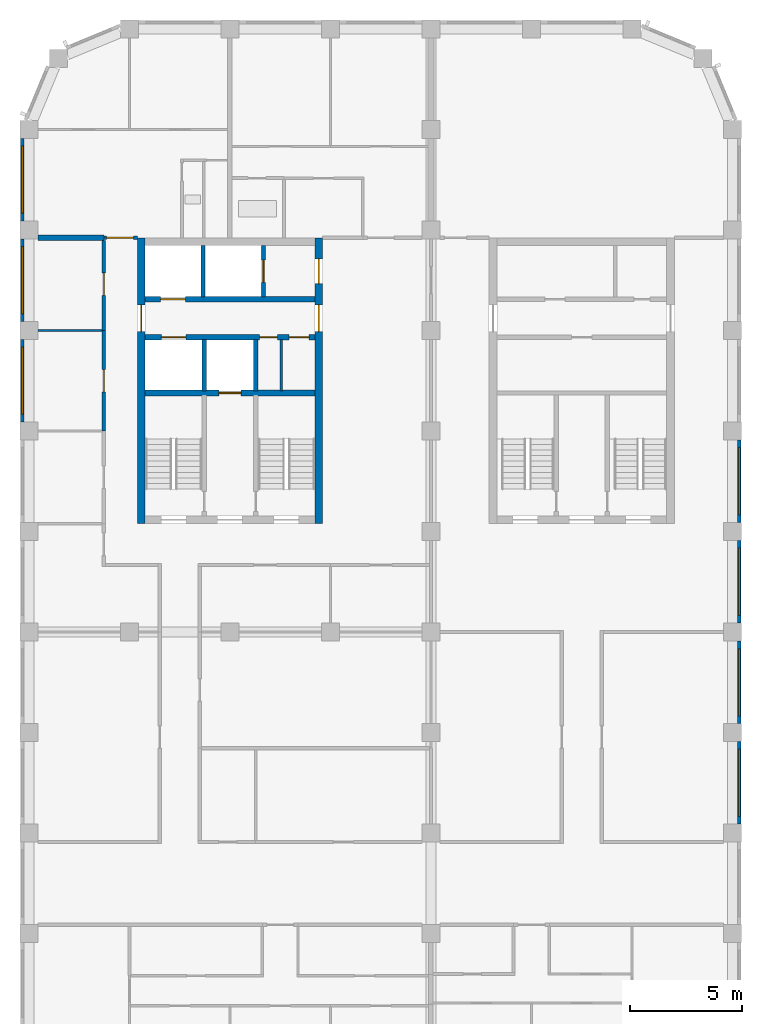
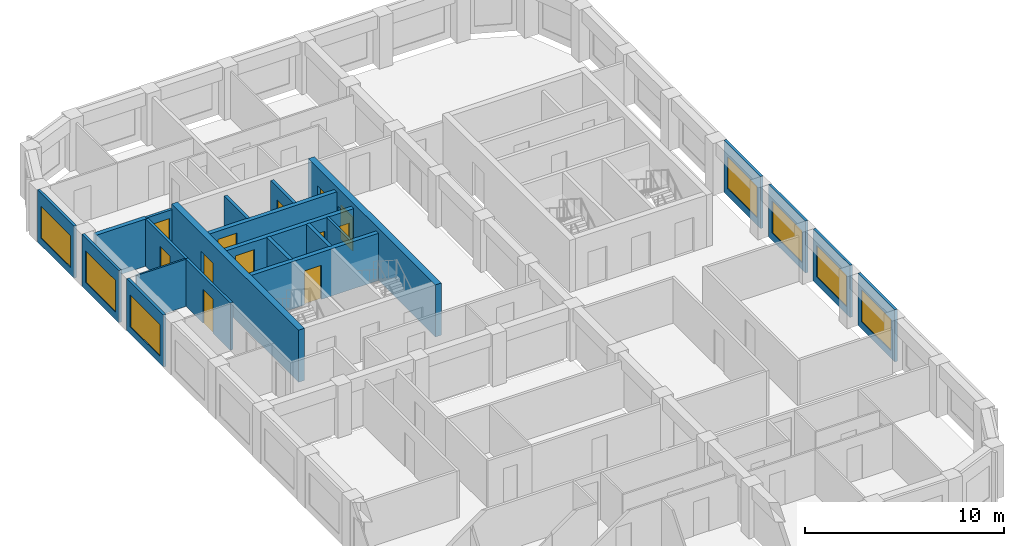
# One storey, part 5 of 9: 22 walls, 12 doors, 7 windows, 19 openings.
"""IFC4 building model written with IfcOpenShell, lengths in metres."""

import ifcopenshell
import ifcopenshell.guid

model = None  # the IFC model being written
_history = None  # IfcOwnerHistory: only IFC2X3 demands one
_inside = {}  # id of a spatial element -> (the spatial element, [elements in it])
_under = {}  # id of a project, library or spatial element -> (it, [spatial elements below it])
_declared = {}  # id of a project -> (the project, [libraries it declares])
_typed = {}  # id of a type object -> (the type object, [elements of that type])
_made_of = {}  # id of a material, layer set ... -> (it, [elements and type objects made of it])


def new_model(schema):
    """Start an empty IFC model of exactly this schema.

    Asked for "IFC4X3", IfcOpenShell would pick the latest addendum, in which some entities
    have other attributes; the version numbers below select the first issue.
    IFC2X3 requires an IfcOwnerHistory on every rooted entity: one is made here for all.
    """
    global model, _history
    if schema == "IFC4X3":
        model = ifcopenshell.file(schema_version=(4, 3, 0, 0))
    else:
        model = ifcopenshell.file(schema=schema)
    _inside.clear()
    _under.clear()
    _declared.clear()
    _typed.clear()
    _made_of.clear()
    _history = None
    if model.schema == "IFC2X3":
        org = make("IfcOrganization", Name="unknown")
        user = make(
            "IfcPersonAndOrganization",
            ThePerson=make("IfcPerson", FamilyName="unknown"),
            TheOrganization=org,
        )
        app = make(
            "IfcApplication",
            ApplicationDeveloper=org,
            Version="unknown",
            ApplicationFullName="unknown",
            ApplicationIdentifier="unknown",
        )
        _history = make(
            "IfcOwnerHistory",
            OwningUser=user,
            OwningApplication=app,
            ChangeAction="ADDED",
            CreationDate=0,
        )
    return model


def make(cls, **values):
    """One entity of the class cls with the attributes given. An attribute that is None is left unset."""
    return model.create_entity(
        cls, **{name: value for name, value in values.items() if value is not None}
    )


def rooted(cls, **values):
    """An entity with a GlobalId (a new one), such as an element, a storey or a relation."""
    return make(cls, GlobalId=ifcopenshell.guid.new(), OwnerHistory=_history, **values)


def si_unit(unit_type, name, prefix=None):
    """IfcSIUnit, for example si_unit("LENGTHUNIT", "METRE", prefix="MILLI")."""
    return make("IfcSIUnit", UnitType=unit_type, Prefix=prefix, Name=name)


def assignment(units):
    """IfcUnitAssignment: the units of a project."""
    return None if units is None else make("IfcUnitAssignment", Units=units)


def point(xyz):
    """IfcCartesianPoint."""
    return None if xyz is None else make("IfcCartesianPoint", Coordinates=xyz)


def direction(xyz):
    """IfcDirection."""
    return None if xyz is None else make("IfcDirection", DirectionRatios=xyz)


def frame(location, z_axis=None, x_axis=None):
    """IfcAxis2Placement3D, a coordinate frame: its origin and axes. An axis left out is left unset."""
    return make(
        "IfcAxis2Placement3D",
        Location=point(location),
        Axis=direction(z_axis),
        RefDirection=direction(x_axis),
    )


def frame_2d(location, x_axis=None):
    """IfcAxis2Placement2D, a coordinate frame in the plane: its origin and x axis."""
    return make(
        "IfcAxis2Placement2D", Location=point(location), RefDirection=direction(x_axis)
    )


def origin():
    """The frame at (0, 0, 0) with its axes left unset."""
    return frame((0.0, 0.0, 0.0))


def place(relative_to, where):
    """IfcLocalPlacement: puts the frame where relative to a parent placement (None: the world)."""
    return make(
        "IfcLocalPlacement", PlacementRelTo=relative_to, RelativePlacement=where
    )


def context(
    kind, dimensions, precision=None, world=None, true_north=None, identifier=None
):
    """IfcGeometricRepresentationContext, for example the 3D "Model" context."""
    return make(
        "IfcGeometricRepresentationContext",
        ContextIdentifier=identifier,
        ContextType=kind,
        CoordinateSpaceDimension=dimensions,
        Precision=precision,
        WorldCoordinateSystem=world,
        TrueNorth=true_north,
    )


def subcontext(parent, identifier, kind, view, scale=None):
    """IfcGeometricRepresentationSubContext, for example "Body" below "Model"."""
    return make(
        "IfcGeometricRepresentationSubContext",
        ContextIdentifier=identifier,
        ContextType=kind,
        ParentContext=parent,
        TargetScale=scale,
        TargetView=view,
    )


def project(units=None, contexts=None):
    """IfcProject with its units and contexts."""
    return rooted(
        "IfcProject",
        Name="project",
        RepresentationContexts=contexts,
        UnitsInContext=assignment(units),
    )


def spatial(cls, under=None, at=None, **own):
    """A site, building, storey or space (cls), placed at a placement, below another one or the project."""
    s = rooted(cls, ObjectPlacement=at, **own)
    if under is not None:
        _under.setdefault(under.id(), (under, []))[1].append(s)
    return s


def profile(cls, at=None, kind="AREA", **sizes):
    """A parametric profile (cls). Its sizes go by their IFC names, for example OverallWidth=200.0."""
    return make(cls, ProfileType=kind, Position=at, **sizes)


def rectangle(**sizes):
    """IfcRectangleProfileDef."""
    return profile("IfcRectangleProfileDef", **sizes)


def extrude(swept, where, along, depth):
    """IfcExtrudedAreaSolid: the profile swept, set in the frame where, extruded along a direction by depth."""
    return make(
        "IfcExtrudedAreaSolid",
        SweptArea=swept,
        Position=where,
        ExtrudedDirection=direction(along),
        Depth=depth,
    )


def shape(context_of_items, identifier, shape_type, items):
    """IfcShapeRepresentation: the items that make up one representation, for example the "Body"."""
    return make(
        "IfcShapeRepresentation",
        ContextOfItems=context_of_items,
        RepresentationIdentifier=identifier,
        RepresentationType=shape_type,
        Items=items,
    )


def material(Name=None, Category=None):
    """IfcMaterial."""
    return make("IfcMaterial", Name=Name, Category=Category)


def layer(
    of_material, thickness, ventilated=None, Name=None, Category=None, Priority=None
):
    """IfcMaterialLayer: one layer of a wall or slab, of a material (None: an air gap)."""
    return make(
        "IfcMaterialLayer",
        Material=of_material,
        LayerThickness=thickness,
        IsVentilated=ventilated,
        Name=Name,
        Category=Category,
        Priority=Priority,
    )


def layer_set(layers, Name=None):
    """IfcMaterialLayerSet."""
    return make("IfcMaterialLayerSet", MaterialLayers=layers, LayerSetName=Name)


def made_of(thing, what):
    """Note that an element or type object is made of a material, layer set ...; save() writes the relation."""
    if what is not None:
        _made_of.setdefault(what.id(), (what, []))[1].append(thing)
    return thing


def type_object(cls, material=None, **own):
    """A type object (cls), such as IfcWallType, which elements share."""
    return made_of(rooted(cls, **own), material)


def element(
    cls,
    number,
    at=None,
    inside=None,
    cuts=None,
    type_object=None,
    material=None,
    context=None,
    identifier="Body",
    shape_type=None,
    held_by="IfcProductDefinitionShape",
    body=None,
    shapes=None,
    **own,
):
    """One element of the class cls, such as IfcWall. Its Tag is "e" and its number.

    at: its placement. inside: the storey or other place that contains it. cuts: it is an
    opening in that element (IfcRelVoidsElement). A single representation is given by context,
    identifier, shape_type and body (its items); several are given by shapes. held_by: the class
    of the entity that holds the representations. save() writes the other relations.
    """
    e = rooted(cls, Tag="e%d" % number, ObjectPlacement=at, **own)
    if body is not None:
        shapes = [shape(context, identifier, shape_type, body)]
    if shapes is not None:
        e.Representation = make(held_by, Representations=shapes)
    if inside is not None:
        _inside.setdefault(inside.id(), (inside, []))[1].append(e)
    if cuts is not None:
        rooted(
            "IfcRelVoidsElement", RelatingBuildingElement=cuts, RelatedOpeningElement=e
        )
    if type_object is not None:
        _typed.setdefault(type_object.id(), (type_object, []))[1].append(e)
    return made_of(e, material)


def fill(opening, filler):
    """IfcRelFillsElement: the door or window that sits in an opening."""
    return rooted(
        "IfcRelFillsElement",
        RelatingOpeningElement=opening,
        RelatedBuildingElement=filler,
    )


def aggregate(whole, parts):
    """IfcRelAggregates: a whole, such as a stair, and the parts it consists of."""
    return rooted("IfcRelAggregates", RelatingObject=whole, RelatedObjects=parts)


def save(model, path):
    """Write the relations noted so far, then the file.

    IfcRelAggregates (storeys below a building ...), IfcRelContainedInSpatialStructure (elements
    in a storey), IfcRelDefinesByType, IfcRelAssociatesMaterial and IfcRelDeclares: one each for
    every whole, place, type object, material and project.
    """
    for whole, parts in _under.values():
        aggregate(whole, parts)
    for where, things in _inside.values():
        rooted(
            "IfcRelContainedInSpatialStructure",
            RelatedElements=things,
            RelatingStructure=where,
        )
    for kind, things in _typed.values():
        rooted("IfcRelDefinesByType", RelatedObjects=things, RelatingType=kind)
    for what, things in _made_of.values():
        rooted("IfcRelAssociatesMaterial", RelatedObjects=things, RelatingMaterial=what)
    for by, libraries in _declared.values():
        rooted("IfcRelDeclares", RelatingContext=by, RelatedDefinitions=libraries)
    model.write(path)


model = new_model("IFC4")

# Units and contexts
model_context = context("Model", 3, precision=1e-05, world=origin(), true_north=direction((0.0, 1.0)))
body_context = subcontext(model_context, "Body", "Model", "MODEL_VIEW")
ifc_project = project(units=[si_unit("LENGTHUNIT", "METRE"), si_unit("AREAUNIT", "SQUARE_METRE"), si_unit("VOLUMEUNIT", "CUBIC_METRE"), si_unit("PLANEANGLEUNIT", "RADIAN"), si_unit("MASSUNIT", "GRAM", prefix="KILO")], contexts=[model_context])

# Site, building, storey
site_placement = place(None, origin())
site = spatial("IfcSite", under=ifc_project, at=site_placement, CompositionType="ELEMENT")
building_placement = place(site_placement, origin())
building = spatial("IfcBuilding", under=site, at=building_placement, Name="Girih Gate Residences", CompositionType="ELEMENT")
storey_placement = place(building_placement, frame((0.0, 0.0, 226.094970703125)))
storey = spatial("IfcBuildingStorey", under=building, at=storey_placement, Name="L63", CompositionType="ELEMENT", Elevation=226.094970703125)

# Wall
ifc_material_1 = material(Name="Gypsum board on steel studs", Category="steel")
ifc_layer_1 = layer(ifc_material_1, 0.25)
ifc_layer_set_1 = layer_set([ifc_layer_1], Name="Acoustic separating wall 250 mm")
wall_type_1 = type_object("IfcWallType", Name="Acoustic separating wall 250 mm", PredefinedType="PARTITIONING", material=ifc_layer_set_1)
wall_1_placement = place(storey_placement, frame((0.39990234375, 40.14990234375, 0.0), z_axis=(0.0, 0.0, 1.0), x_axis=(1.0, 0.0, 0.0)))
element("IfcWall", 1, at=wall_1_placement, inside=storey, type_object=wall_type_1, Name="L63 partition", PredefinedType="PARTITIONING", context=body_context, shape_type="SweptSolid", body=[
    extrude(rectangle(XDim=2.9501953125, YDim=0.25, at=frame_2d((1.47509765625, 0.0))), origin(), (0.0, 0.0, 1.0), 2.900146484375),
])

# Wall, opening, door
ifc_layer_2 = layer(ifc_material_1, 0.14990234375)
ifc_layer_set_2 = layer_set([ifc_layer_2], Name="Compartment wall 150 mm")
wall_type_2 = type_object("IfcWallType", Name="Compartment wall 150 mm", PredefinedType="PARTITIONING", material=ifc_layer_set_2)
wall_2_placement = place(storey_placement, frame((3.35009765625, 40.14990234375, 0.0), z_axis=(0.0, 0.0, 1.0), x_axis=(1.0, 0.0, 0.0)))
wall_2 = element("IfcWall", 2, at=wall_2_placement, inside=storey, type_object=wall_type_2, Name="L63 partition", PredefinedType="PARTITIONING", context=body_context, shape_type="SweptSolid", body=[
    extrude(rectangle(XDim=1.5, YDim=0.14990234375, at=frame_2d((0.75, 0.0))), origin(), (0.0, 0.0, 1.0), 2.900146484375),
])
opening_1_placement = place(wall_2_placement, frame((0.1298828125, 0.0, 0.0)))
opening_1 = element("IfcOpeningElement", 3, at=opening_1_placement, cuts=wall_2, Name="Opening A63-012", PredefinedType="OPENING", context=body_context, shape_type="SweptSolid", body=[
    extrude(rectangle(XDim=1.199951171875, YDim=2.39990234375, at=frame_2d((0.60009765625, 1.199951171875))), frame((0.0, 0.0849609375, 0.0), z_axis=(0.0, -1.0, 0.0), x_axis=(1.0, 0.0, 0.0)), (0.0, 0.0, 1.0), 0.169921875),
])
ifc_material_2 = material(Name="Timber, fire-rated core", Category="wood")
door_type_1 = type_object("IfcDoorType", Name="Villa entrance door 1200x2400 FD30S", OperationType="NOTDEFINED", PredefinedType="DOOR", material=ifc_material_2)
door_1_placement = place(opening_1_placement, origin())
door_1 = element("IfcDoor", 4, at=door_1_placement, inside=storey, type_object=door_type_1, Name="Door A63-012", OperationType="SINGLE_SWING_LEFT", OverallHeight=2.39990234375, OverallWidth=1.199951171875, PredefinedType="DOOR", context=body_context, shape_type="SweptSolid", body=[
    extrude(rectangle(XDim=1.199951171875, YDim=2.39990234375, at=frame_2d((0.60009765625, 1.199951171875))), frame((0.0, 0.02490234375, 0.0), z_axis=(0.0, -1.0, 0.0), x_axis=(1.0, 0.0, 0.0)), (0.0, 0.0, 1.0), 0.050048828125),
])
fill(opening_1, door_1)

wall_3_placement = place(storey_placement, frame((3.35009765625, 31.5, 0.0), z_axis=(0.0, 0.0, 1.0), x_axis=(0.0, 1.0, 0.0)))
wall_3 = element("IfcWall", 5, at=wall_3_placement, inside=storey, type_object=wall_type_2, Name="L63 partition", PredefinedType="PARTITIONING", context=body_context, shape_type="SweptSolid", body=[
    extrude(rectangle(XDim=4.5, YDim=0.14990234375, at=frame_2d((2.25, 0.0))), origin(), (0.0, 0.0, 1.0), 2.900146484375),
])
opening_2_placement = place(wall_3_placement, frame((1.75, 0.0, 0.0)))
opening_2 = element("IfcOpeningElement", 6, at=opening_2_placement, cuts=wall_3, Name="Opening A63-035", PredefinedType="OPENING", context=body_context, shape_type="SweptSolid", body=[
    extrude(rectangle(XDim=1.0, YDim=2.10009765625, at=frame_2d((0.5, 1.050048828125))), frame((0.0, 0.0849609375, 0.0), z_axis=(0.0, -1.0, 0.0), x_axis=(1.0, 0.0, 0.0)), (0.0, 0.0, 1.0), 0.169921875),
])
door_type_2 = type_object("IfcDoorType", Name="Amenity room door 1000x2100 FD30S", OperationType="NOTDEFINED", PredefinedType="DOOR", material=ifc_material_2)
door_2_placement = place(opening_2_placement, origin())
door_2 = element("IfcDoor", 7, at=door_2_placement, inside=storey, type_object=door_type_2, Name="Door A63-035", OperationType="SINGLE_SWING_RIGHT", OverallHeight=2.10009765625, OverallWidth=1.0, PredefinedType="DOOR", context=body_context, shape_type="SweptSolid", body=[
    extrude(rectangle(XDim=1.0, YDim=2.10009765625, at=frame_2d((0.5, 1.050048828125))), frame((0.0, 0.02490234375, 0.0), z_axis=(0.0, -1.0, 0.0), x_axis=(1.0, 0.0, 0.0)), (0.0, 0.0, 1.0), 0.050048828125),
])
fill(opening_2, door_2)

wall_4_placement = place(storey_placement, frame((3.35009765625, 36.0, 0.0), z_axis=(0.0, 0.0, 1.0), x_axis=(0.0, 1.0, 0.0)))
wall_4 = element("IfcWall", 8, at=wall_4_placement, inside=storey, type_object=wall_type_2, Name="L63 partition", PredefinedType="PARTITIONING", context=body_context, shape_type="SweptSolid", body=[
    extrude(rectangle(XDim=4.02490234375, YDim=0.14990234375, at=frame_2d((2.012451171875, 0.0))), origin(), (0.0, 0.0, 1.0), 2.900146484375),
])
opening_3_placement = place(wall_4_placement, frame((1.574951171875, 0.0, 0.0)))
opening_3 = element("IfcOpeningElement", 9, at=opening_3_placement, cuts=wall_4, Name="Opening A63-036", PredefinedType="OPENING", context=body_context, shape_type="SweptSolid", body=[
    extrude(rectangle(XDim=1.0, YDim=2.10009765625, at=frame_2d((0.5, 1.050048828125))), frame((0.0, 0.0849609375, 0.0), z_axis=(0.0, -1.0, 0.0), x_axis=(1.0, 0.0, 0.0)), (0.0, 0.0, 1.0), 0.169921875),
])
door_3_placement = place(opening_3_placement, origin())
door_3 = element("IfcDoor", 10, at=door_3_placement, inside=storey, type_object=door_type_2, Name="Door A63-036", OperationType="SINGLE_SWING_RIGHT", OverallHeight=2.10009765625, OverallWidth=1.0, PredefinedType="DOOR", context=body_context, shape_type="SweptSolid", body=[
    extrude(rectangle(XDim=1.0, YDim=2.10009765625, at=frame_2d((0.5, 1.050048828125))), frame((0.0, 0.02490234375, 0.0), z_axis=(0.0, -1.0, 0.0), x_axis=(1.0, 0.0, 0.0)), (0.0, 0.0, 1.0), 0.050048828125),
])
fill(opening_3, door_3)

ifc_material_3 = material(Name="Concrete C60/75", Category="concrete")
ifc_layer_3 = layer(ifc_material_3, 0.35009765625)
ifc_layer_set_3 = layer_set([ifc_layer_3], Name="Core wall RC 350 Concrete C60/75")
wall_type_3 = type_object("IfcWallType", Name="Core wall RC 350 Concrete C60/75", PredefinedType="SOLIDWALL", material=ifc_layer_set_3)
wall_5_placement = place(storey_placement, frame((5.02490234375, 27.35009765625, 0.0), z_axis=(0.0, 0.0, 1.0), x_axis=(0.0, 1.0, 0.0)))
wall_5 = element("IfcWall", 11, at=wall_5_placement, inside=storey, type_object=wall_type_3, Name="Core wall W-W L63", PredefinedType="SOLIDWALL", context=body_context, shape_type="SweptSolid", body=[
    extrude(rectangle(XDim=12.7998046875, YDim=0.35009765625, at=frame_2d((6.39990234375, 0.0))), origin(), (0.0, 0.0, 1.0), 3.199951171875),
])
opening_4_placement = place(wall_5_placement, frame((8.60009765625, 0.0, 0.0)))
opening_4 = element("IfcOpeningElement", 12, at=opening_4_placement, cuts=wall_5, Name="Opening D-L63-W-013", PredefinedType="OPENING", context=body_context, shape_type="SweptSolid", body=[
    extrude(rectangle(XDim=1.199951171875, YDim=2.10009765625, at=frame_2d((0.60009765625, 1.050048828125))), frame((0.0, 0.18505859375, 0.0), z_axis=(0.0, -1.0, 0.0), x_axis=(1.0, 0.0, 0.0)), (0.0, 0.0, 1.0), 0.3701171875),
])
ifc_material_4 = material(Name="Painted steel, fire-resisting", Category="steel")
door_type_3 = type_object("IfcDoorType", Name="Fire door 1200x2100", OperationType="SINGLE_SWING_LEFT", PredefinedType="DOOR", material=ifc_material_4)
door_4_placement = place(opening_4_placement, origin())
door_4 = element("IfcDoor", 13, at=door_4_placement, inside=storey, type_object=door_type_3, Name="L63 W core door ll-w", OperationType="SINGLE_SWING_LEFT", OverallHeight=2.10009765625, OverallWidth=1.199951171875, PredefinedType="DOOR", context=body_context, shape_type="SweptSolid", body=[
    extrude(rectangle(XDim=1.199951171875, YDim=2.10009765625, at=frame_2d((0.60009765625, 1.050048828125))), frame((0.0, 0.02490234375, 0.0), z_axis=(0.0, -1.0, 0.0), x_axis=(1.0, 0.0, 0.0)), (0.0, 0.0, 1.0), 0.050048828125),
])
fill(opening_4, door_4)

# Wall, openings, doors
wall_6_placement = place(storey_placement, frame((12.97509765625, 27.35009765625, 0.0), z_axis=(0.0, 0.0, 1.0), x_axis=(0.0, 1.0, 0.0)))
wall_6 = element("IfcWall", 14, at=wall_6_placement, inside=storey, type_object=wall_type_3, Name="Core wall W-E L63", PredefinedType="SOLIDWALL", context=body_context, shape_type="SweptSolid", body=[
    extrude(rectangle(XDim=12.7998046875, YDim=0.35009765625, at=frame_2d((6.39990234375, 0.0))), origin(), (0.0, 0.0, 1.0), 3.199951171875),
])
opening_5_placement = place(wall_6_placement, frame((10.75, 0.0, 0.0)))
opening_5 = element("IfcOpeningElement", 15, at=opening_5_placement, cuts=wall_6, Name="Opening D-L63-W-012", PredefinedType="OPENING", context=body_context, shape_type="SweptSolid", body=[
    extrude(rectangle(XDim=1.10009765625, YDim=2.10009765625, at=frame_2d((0.550048828125, 1.050048828125))), frame((0.0, 0.18505859375, 0.0), z_axis=(0.0, -1.0, 0.0), x_axis=(1.0, 0.0, 0.0)), (0.0, 0.0, 1.0), 0.3701171875),
])
opening_6_placement = place(wall_6_placement, frame((8.60009765625, 0.0, 0.0)))
opening_6 = element("IfcOpeningElement", 16, at=opening_6_placement, cuts=wall_6, Name="Opening D-L63-W-014", PredefinedType="OPENING", context=body_context, shape_type="SweptSolid", body=[
    extrude(rectangle(XDim=1.199951171875, YDim=2.10009765625, at=frame_2d((0.60009765625, 1.050048828125))), frame((0.0, 0.18505859375, 0.0), z_axis=(0.0, -1.0, 0.0), x_axis=(1.0, 0.0, 0.0)), (0.0, 0.0, 1.0), 0.3701171875),
])
door_type_4 = type_object("IfcDoorType", Name="Fire door 1100x2100", OperationType="SINGLE_SWING_LEFT", PredefinedType="DOOR", material=ifc_material_4)
door_5_placement = place(opening_5_placement, origin())
door_5 = element("IfcDoor", 17, at=door_5_placement, inside=storey, type_object=door_type_4, Name="L63 W core door ffl2-e", OperationType="SINGLE_SWING_LEFT", OverallHeight=2.10009765625, OverallWidth=1.10009765625, PredefinedType="DOOR", context=body_context, shape_type="SweptSolid", body=[
    extrude(rectangle(XDim=1.10009765625, YDim=2.10009765625, at=frame_2d((0.550048828125, 1.050048828125))), frame((0.0, 0.02490234375, 0.0), z_axis=(0.0, -1.0, 0.0), x_axis=(1.0, 0.0, 0.0)), (0.0, 0.0, 1.0), 0.050048828125),
])
fill(opening_5, door_5)
door_6_placement = place(opening_6_placement, origin())
door_6 = element("IfcDoor", 18, at=door_6_placement, inside=storey, type_object=door_type_3, Name="L63 W core door ll-e", OperationType="SINGLE_SWING_LEFT", OverallHeight=2.10009765625, OverallWidth=1.199951171875, PredefinedType="DOOR", context=body_context, shape_type="SweptSolid", body=[
    extrude(rectangle(XDim=1.199951171875, YDim=2.10009765625, at=frame_2d((0.60009765625, 1.050048828125))), frame((0.0, 0.02490234375, 0.0), z_axis=(0.0, -1.0, 0.0), x_axis=(1.0, 0.0, 0.0)), (0.0, 0.0, 1.0), 0.050048828125),
])
fill(opening_6, door_6)

# Wall, opening, door
ifc_material_5 = material(Name="Concrete C40/50", Category="concrete")
ifc_layer_4 = layer(ifc_material_5, 0.25)
ifc_layer_set_4 = layer_set([ifc_layer_4], Name="Lift shaft wall 250")
wall_type_4 = type_object("IfcWallType", Name="Lift shaft wall 250", PredefinedType="SOLIDWALL", material=ifc_layer_set_4)
wall_7_placement = place(storey_placement, frame((5.199951171875, 33.199951171875, 0.0), z_axis=(0.0, 0.0, 1.0), x_axis=(1.0, 0.0, 0.0)))
wall_7 = element("IfcWall", 19, at=wall_7_placement, inside=storey, type_object=wall_type_4, Name="L63 W core wall H1", PredefinedType="SOLIDWALL", context=body_context, shape_type="SweptSolid", body=[
    extrude(rectangle(XDim=7.60009765625, YDim=0.25, at=frame_2d((3.800048828125, 0.0))), origin(), (0.0, 0.0, 1.0), 2.900146484375),
])
opening_7_placement = place(wall_7_placement, frame((3.300048828125, 0.0, 0.0)))
opening_7 = element("IfcOpeningElement", 20, at=opening_7_placement, cuts=wall_7, Name="Opening D-L63-W-006", PredefinedType="OPENING", context=body_context, shape_type="SweptSolid", body=[
    extrude(rectangle(XDim=1.0, YDim=2.10009765625, at=frame_2d((0.5, 1.050048828125))), frame((0.0, 0.135009765625, 0.0), z_axis=(0.0, -1.0, 0.0), x_axis=(1.0, 0.0, 0.0)), (0.0, 0.0, 1.0), 0.27001953125),
])
ifc_material_6 = material(Name="Stainless steel, fire-resisting", Category="steel")
door_type_5 = type_object("IfcDoorType", Name="Firefighting lift landing door 1000x2100", OperationType="SLIDING_TO_LEFT", PredefinedType="DOOR", material=ifc_material_6)
door_7_placement = place(opening_7_placement, origin())
door_7 = element("IfcDoor", 21, at=door_7_placement, inside=storey, type_object=door_type_5, Name="L63 lift FF-W landing door", OperationType="SLIDING_TO_LEFT", OverallHeight=2.10009765625, OverallWidth=1.0, PredefinedType="DOOR", context=body_context, shape_type="SweptSolid", body=[
    extrude(rectangle(XDim=1.0, YDim=2.10009765625, at=frame_2d((0.5, 1.050048828125))), frame((0.0, 0.02490234375, 0.0), z_axis=(0.0, -1.0, 0.0), x_axis=(1.0, 0.0, 0.0)), (0.0, 0.0, 1.0), 0.050048828125),
])
fill(opening_7, door_7)

# Wall, openings, doors
wall_8_placement = place(storey_placement, frame((5.199951171875, 35.699951171875, 0.0), z_axis=(0.0, 0.0, 1.0), x_axis=(1.0, 0.0, 0.0)))
wall_8 = element("IfcWall", 22, at=wall_8_placement, inside=storey, type_object=wall_type_4, Name="L63 W core wall H2", PredefinedType="SOLIDWALL", context=body_context, shape_type="SweptSolid", body=[
    extrude(rectangle(XDim=7.60009765625, YDim=0.25, at=frame_2d((3.800048828125, 0.0))), origin(), (0.0, 0.0, 1.0), 2.900146484375),
])
opening_8_placement = place(wall_8_placement, frame((0.72509765625, 0.0, 0.0)))
opening_8 = element("IfcOpeningElement", 23, at=opening_8_placement, cuts=wall_8, Name="Opening D-L63-W-005", PredefinedType="OPENING", context=body_context, shape_type="SweptSolid", body=[
    extrude(rectangle(XDim=1.10009765625, YDim=2.39990234375, at=frame_2d((0.550048828125, 1.199951171875))), frame((0.0, 0.135009765625, 0.0), z_axis=(0.0, -1.0, 0.0), x_axis=(1.0, 0.0, 0.0)), (0.0, 0.0, 1.0), 0.27001953125),
])
opening_9_placement = place(wall_8_placement, frame((5.125, 0.0, 0.0)))
opening_9 = element("IfcOpeningElement", 24, at=opening_9_placement, cuts=wall_8, Name="Opening D-L63-W-007", PredefinedType="OPENING", context=body_context, shape_type="SweptSolid", body=[
    extrude(rectangle(XDim=0.800048828125, YDim=2.10009765625, at=frame_2d((0.39990234375, 1.050048828125))), frame((0.0, 0.135009765625, 0.0), z_axis=(0.0, -1.0, 0.0), x_axis=(1.0, 0.0, 0.0)), (0.0, 0.0, 1.0), 0.27001953125),
])
opening_10_placement = place(wall_8_placement, frame((6.449951171875, 0.0, 0.0)))
opening_10 = element("IfcOpeningElement", 25, at=opening_10_placement, cuts=wall_8, Name="Opening D-L63-W-008", PredefinedType="OPENING", context=body_context, shape_type="SweptSolid", body=[
    extrude(rectangle(XDim=0.89990234375, YDim=2.10009765625, at=frame_2d((0.449951171875, 1.050048828125))), frame((0.0, 0.135009765625, 0.0), z_axis=(0.0, -1.0, 0.0), x_axis=(1.0, 0.0, 0.0)), (0.0, 0.0, 1.0), 0.27001953125),
])
door_type_6 = type_object("IfcDoorType", Name="Fire door 800x2100", OperationType="SINGLE_SWING_LEFT", PredefinedType="DOOR", material=ifc_material_4)
door_8_placement = place(opening_9_placement, origin())
door_8 = element("IfcDoor", 26, at=door_8_placement, inside=storey, type_object=door_type_6, Name="L63 W linen store door", OperationType="SINGLE_SWING_LEFT", OverallHeight=2.10009765625, OverallWidth=0.800048828125, PredefinedType="DOOR", context=body_context, shape_type="SweptSolid", body=[
    extrude(rectangle(XDim=0.800048828125, YDim=2.10009765625, at=frame_2d((0.39990234375, 1.050048828125))), frame((0.0, 0.02490234375, 0.0), z_axis=(0.0, -1.0, 0.0), x_axis=(1.0, 0.0, 0.0)), (0.0, 0.0, 1.0), 0.050048828125),
])
fill(opening_9, door_8)
door_type_7 = type_object("IfcDoorType", Name="Fire door 900x2100", OperationType="SINGLE_SWING_LEFT", PredefinedType="DOOR", material=ifc_material_4)
door_9_placement = place(opening_10_placement, origin())
door_9 = element("IfcDoor", 27, at=door_9_placement, inside=storey, type_object=door_type_7, Name="L63 W housekeeping store door", OperationType="SINGLE_SWING_LEFT", OverallHeight=2.10009765625, OverallWidth=0.89990234375, PredefinedType="DOOR", context=body_context, shape_type="SweptSolid", body=[
    extrude(rectangle(XDim=0.89990234375, YDim=2.10009765625, at=frame_2d((0.449951171875, 1.050048828125))), frame((0.0, 0.02490234375, 0.0), z_axis=(0.0, -1.0, 0.0), x_axis=(1.0, 0.0, 0.0)), (0.0, 0.0, 1.0), 0.050048828125),
])
fill(opening_10, door_9)
ifc_material_7 = material(Name="Stainless steel", Category="steel")
door_type_8 = type_object("IfcDoorType", Name="Lift landing door 1100x2400", OperationType="SLIDING_TO_LEFT", PredefinedType="DOOR", material=ifc_material_7)
door_10_placement = place(opening_8_placement, origin())
door_10 = element("IfcDoor", 28, at=door_10_placement, inside=storey, type_object=door_type_8, Name="L63 lift HR-W1 landing door", OperationType="SLIDING_TO_LEFT", OverallHeight=2.39990234375, OverallWidth=1.10009765625, PredefinedType="DOOR", context=body_context, shape_type="SweptSolid", body=[
    extrude(rectangle(XDim=1.10009765625, YDim=2.39990234375, at=frame_2d((0.550048828125, 1.199951171875))), frame((0.0, 0.02490234375, 0.0), z_axis=(0.0, -1.0, 0.0), x_axis=(1.0, 0.0, 0.0)), (0.0, 0.0, 1.0), 0.050048828125),
])
fill(opening_8, door_10)

# Wall, opening, door
wall_9_placement = place(storey_placement, frame((5.199951171875, 37.39990234375, 0.0), z_axis=(0.0, 0.0, 1.0), x_axis=(1.0, 0.0, 0.0)))
wall_9 = element("IfcWall", 29, at=wall_9_placement, inside=storey, type_object=wall_type_4, Name="L63 W core wall H3", PredefinedType="SOLIDWALL", context=body_context, shape_type="SweptSolid", body=[
    extrude(rectangle(XDim=7.60009765625, YDim=0.25, at=frame_2d((3.800048828125, 0.0))), origin(), (0.0, 0.0, 1.0), 2.900146484375),
])
opening_11_placement = place(wall_9_placement, frame((0.699951171875, 0.0, 0.0)))
opening_11 = element("IfcOpeningElement", 30, at=opening_11_placement, cuts=wall_9, Name="Opening D-L63-W-003", PredefinedType="OPENING", context=body_context, shape_type="SweptSolid", body=[
    extrude(rectangle(XDim=1.10009765625, YDim=2.39990234375, at=frame_2d((0.550048828125, 1.199951171875))), frame((0.0, 0.135009765625, 0.0), z_axis=(0.0, -1.0, 0.0), x_axis=(1.0, 0.0, 0.0)), (0.0, 0.0, 1.0), 0.27001953125),
])
door_11_placement = place(opening_11_placement, origin())
door_11 = element("IfcDoor", 31, at=door_11_placement, inside=storey, type_object=door_type_8, Name="L63 lift LR-W1 landing door", OperationType="SLIDING_TO_LEFT", OverallHeight=2.39990234375, OverallWidth=1.10009765625, PredefinedType="DOOR", context=body_context, shape_type="SweptSolid", body=[
    extrude(rectangle(XDim=1.10009765625, YDim=2.39990234375, at=frame_2d((0.550048828125, 1.199951171875))), frame((0.0, 0.02490234375, 0.0), z_axis=(0.0, -1.0, 0.0), x_axis=(1.0, 0.0, 0.0)), (0.0, 0.0, 1.0), 0.050048828125),
])
fill(opening_11, door_11)

# Wall
ifc_layer_5 = layer(ifc_material_1, 0.10009765625)
ifc_layer_set_5 = layer_set([ifc_layer_5], Name="Partition 100 mm")
wall_type_5 = type_object("IfcWallType", Name="Partition 100 mm", PredefinedType="PARTITIONING", material=ifc_layer_set_5)
wall_10_placement = place(storey_placement, frame((0.39990234375, 36.0, 0.0), z_axis=(0.0, 0.0, 1.0), x_axis=(1.0, 0.0, 0.0)))
element("IfcWall", 32, at=wall_10_placement, inside=storey, type_object=wall_type_5, Name="L63 partition", PredefinedType="PARTITIONING", context=body_context, shape_type="SweptSolid", body=[
    extrude(rectangle(XDim=2.875, YDim=0.10009765625, at=frame_2d((1.4375, 0.0))), origin(), (0.0, 0.0, 1.0), 2.900146484375),
])

# Wall, opening, window
ifc_material_8 = material(Name="Precast concrete C50/60", Category="concrete")
ifc_layer_6 = layer(ifc_material_8, 0.050048828125, Name="Outer leaf")
ifc_material_9 = material(Name="Rigid PIR insulation")
ifc_layer_7 = layer(ifc_material_9, 0.06005859375, Name="Insulation")
ifc_material_10 = material(Name="Precast concrete C40/50", Category="concrete")
ifc_layer_8 = layer(ifc_material_10, 0.0400390625, Name="Inner leaf")
ifc_layer_set_6 = layer_set([ifc_layer_6, ifc_layer_7, ifc_layer_8], Name="Precast concrete C50/60 external wall 150")
wall_type_6 = type_object("IfcWallType", Name="Precast concrete C50/60 external wall 150", PredefinedType="SOLIDWALL", material=ifc_layer_set_6)
wall_11_placement = place(storey_placement, frame((31.800048828125, 17.60009765625, 0.0), z_axis=(0.0, 0.0, 1.0), x_axis=(0.0, -1.0, 0.0)))
wall_11 = element("IfcWall", 33, at=wall_11_placement, inside=storey, type_object=wall_type_6, Name="External wall E0315_0045.2", PredefinedType="SOLIDWALL", context=body_context, shape_type="SweptSolid", body=[
    extrude(rectangle(XDim=3.7001953125, YDim=0.14990234375, at=frame_2d((1.85009765625, 0.0))), origin(), (0.0, 0.0, 1.0), 3.199951171875),
])
opening_12_placement = place(wall_11_placement, frame((0.35009765625, 0.0, 0.449951171875)))
opening_12 = element("IfcOpeningElement", 34, at=opening_12_placement, cuts=wall_11, Name="Opening W-1D", PredefinedType="OPENING", context=body_context, shape_type="SweptSolid", body=[
    extrude(rectangle(XDim=3.0, YDim=1.949951171875, at=frame_2d((1.5, 0.97509765625))), frame((0.0, 0.0849609375, 0.0), z_axis=(0.0, -1.0, 0.0), x_axis=(1.0, 0.0, 0.0)), (0.0, 0.0, 1.0), 0.169921875),
])
ifc_material_11 = material(Name="Double glazing in aluminium frame", Category="aluminium")
window_type = type_object("IfcWindowType", Name="Window W-1D 3000x1950", PartitioningType="SINGLE_PANEL", PredefinedType="WINDOW", material=ifc_material_11)
window_1_placement = place(opening_12_placement, origin())
window_1 = element("IfcWindow", 35, at=window_1_placement, inside=storey, type_object=window_type, Name="Window W-1D E0315_0045.2", OverallHeight=1.949951171875, OverallWidth=3.0, PartitioningType="SINGLE_PANEL", PredefinedType="WINDOW", context=body_context, shape_type="SweptSolid", body=[
    extrude(rectangle(XDim=3.0, YDim=1.949951171875, at=frame_2d((1.5, 0.97509765625))), frame((0.0, 0.030029296875, 0.0), z_axis=(0.0, -1.0, 0.0), x_axis=(1.0, 0.0, 0.0)), (0.0, 0.0, 1.0), 0.06005859375),
])
fill(opening_12, window_1)

wall_12_placement = place(storey_placement, frame((31.800048828125, 22.10009765625, 0.0), z_axis=(0.0, 0.0, 1.0), x_axis=(0.0, -1.0, 0.0)))
wall_12 = element("IfcWall", 36, at=wall_12_placement, inside=storey, type_object=wall_type_6, Name="External wall E0315_0045.3", PredefinedType="SOLIDWALL", context=body_context, shape_type="SweptSolid", body=[
    extrude(rectangle(XDim=3.7001953125, YDim=0.14990234375, at=frame_2d((1.85009765625, 0.0))), origin(), (0.0, 0.0, 1.0), 3.199951171875),
])
opening_13_placement = place(wall_12_placement, frame((0.35009765625, 0.0, 0.449951171875)))
opening_13 = element("IfcOpeningElement", 37, at=opening_13_placement, cuts=wall_12, Name="Opening W-1D", PredefinedType="OPENING", context=body_context, shape_type="SweptSolid", body=[
    extrude(rectangle(XDim=3.0, YDim=1.949951171875, at=frame_2d((1.5, 0.97509765625))), frame((0.0, 0.0849609375, 0.0), z_axis=(0.0, -1.0, 0.0), x_axis=(1.0, 0.0, 0.0)), (0.0, 0.0, 1.0), 0.169921875),
])
window_2_placement = place(opening_13_placement, origin())
window_2 = element("IfcWindow", 38, at=window_2_placement, inside=storey, type_object=window_type, Name="Window W-1D E0315_0045.3", OverallHeight=1.949951171875, OverallWidth=3.0, PartitioningType="SINGLE_PANEL", PredefinedType="WINDOW", context=body_context, shape_type="SweptSolid", body=[
    extrude(rectangle(XDim=3.0, YDim=1.949951171875, at=frame_2d((1.5, 0.97509765625))), frame((0.0, 0.030029296875, 0.0), z_axis=(0.0, -1.0, 0.0), x_axis=(1.0, 0.0, 0.0)), (0.0, 0.0, 1.0), 0.06005859375),
])
fill(opening_13, window_2)

wall_13_placement = place(storey_placement, frame((31.800048828125, 26.60009765625, 0.0), z_axis=(0.0, 0.0, 1.0), x_axis=(0.0, -1.0, 0.0)))
wall_13 = element("IfcWall", 39, at=wall_13_placement, inside=storey, type_object=wall_type_6, Name="External wall E0315_0045.4", PredefinedType="SOLIDWALL", context=body_context, shape_type="SweptSolid", body=[
    extrude(rectangle(XDim=3.7001953125, YDim=0.14990234375, at=frame_2d((1.85009765625, 0.0))), origin(), (0.0, 0.0, 1.0), 3.199951171875),
])
opening_14_placement = place(wall_13_placement, frame((0.35009765625, 0.0, 0.449951171875)))
opening_14 = element("IfcOpeningElement", 40, at=opening_14_placement, cuts=wall_13, Name="Opening W-1D", PredefinedType="OPENING", context=body_context, shape_type="SweptSolid", body=[
    extrude(rectangle(XDim=3.0, YDim=1.949951171875, at=frame_2d((1.5, 0.97509765625))), frame((0.0, 0.0849609375, 0.0), z_axis=(0.0, -1.0, 0.0), x_axis=(1.0, 0.0, 0.0)), (0.0, 0.0, 1.0), 0.169921875),
])
window_3_placement = place(opening_14_placement, origin())
window_3 = element("IfcWindow", 41, at=window_3_placement, inside=storey, type_object=window_type, Name="Window W-1D E0315_0045.4", OverallHeight=1.949951171875, OverallWidth=3.0, PartitioningType="SINGLE_PANEL", PredefinedType="WINDOW", context=body_context, shape_type="SweptSolid", body=[
    extrude(rectangle(XDim=3.0, YDim=1.949951171875, at=frame_2d((1.5, 0.97509765625))), frame((0.0, 0.030029296875, 0.0), z_axis=(0.0, -1.0, 0.0), x_axis=(1.0, 0.0, 0.0)), (0.0, 0.0, 1.0), 0.06005859375),
])
fill(opening_14, window_3)

wall_14_placement = place(storey_placement, frame((31.800048828125, 31.10009765625, 0.0), z_axis=(0.0, 0.0, 1.0), x_axis=(0.0, -1.0, 0.0)))
wall_14 = element("IfcWall", 42, at=wall_14_placement, inside=storey, type_object=wall_type_6, Name="External wall E0315_0045.5", PredefinedType="SOLIDWALL", context=body_context, shape_type="SweptSolid", body=[
    extrude(rectangle(XDim=3.7001953125, YDim=0.14990234375, at=frame_2d((1.85009765625, 0.0))), origin(), (0.0, 0.0, 1.0), 3.199951171875),
])
opening_15_placement = place(wall_14_placement, frame((0.35009765625, 0.0, 0.449951171875)))
opening_15 = element("IfcOpeningElement", 43, at=opening_15_placement, cuts=wall_14, Name="Opening W-1D", PredefinedType="OPENING", context=body_context, shape_type="SweptSolid", body=[
    extrude(rectangle(XDim=3.0, YDim=1.949951171875, at=frame_2d((1.5, 0.97509765625))), frame((0.0, 0.0849609375, 0.0), z_axis=(0.0, -1.0, 0.0), x_axis=(1.0, 0.0, 0.0)), (0.0, 0.0, 1.0), 0.169921875),
])
window_4_placement = place(opening_15_placement, origin())
window_4 = element("IfcWindow", 44, at=window_4_placement, inside=storey, type_object=window_type, Name="Window W-1D E0315_0045.5", OverallHeight=1.949951171875, OverallWidth=3.0, PartitioningType="SINGLE_PANEL", PredefinedType="WINDOW", context=body_context, shape_type="SweptSolid", body=[
    extrude(rectangle(XDim=3.0, YDim=1.949951171875, at=frame_2d((1.5, 0.97509765625))), frame((0.0, 0.030029296875, 0.0), z_axis=(0.0, -1.0, 0.0), x_axis=(1.0, 0.0, 0.0)), (0.0, 0.0, 1.0), 0.06005859375),
])
fill(opening_15, window_4)

wall_15_placement = place(storey_placement, frame((-0.300048828125, 40.89990234375, 0.0), z_axis=(0.0, 0.0, 1.0), x_axis=(0.0, 1.0, 0.0)))
wall_15 = element("IfcWall", 45, at=wall_15_placement, inside=storey, type_object=wall_type_6, Name="External wall W0000_0450.0", PredefinedType="SOLIDWALL", context=body_context, shape_type="SweptSolid", body=[
    extrude(rectangle(XDim=3.7001953125, YDim=0.14990234375, at=frame_2d((1.85009765625, 0.0))), origin(), (0.0, 0.0, 1.0), 3.199951171875),
])
opening_16_placement = place(wall_15_placement, frame((0.35009765625, 0.0, 0.449951171875)))
opening_16 = element("IfcOpeningElement", 46, at=opening_16_placement, cuts=wall_15, Name="Opening W-1D", PredefinedType="OPENING", context=body_context, shape_type="SweptSolid", body=[
    extrude(rectangle(XDim=3.0, YDim=1.949951171875, at=frame_2d((1.5, 0.97509765625))), frame((0.0, 0.0849609375, 0.0), z_axis=(0.0, -1.0, 0.0), x_axis=(1.0, 0.0, 0.0)), (0.0, 0.0, 1.0), 0.169921875),
])
window_5_placement = place(opening_16_placement, origin())
window_5 = element("IfcWindow", 47, at=window_5_placement, inside=storey, type_object=window_type, Name="Window W-1D W0000_0450.0", OverallHeight=1.949951171875, OverallWidth=3.0, PartitioningType="SINGLE_PANEL", PredefinedType="WINDOW", context=body_context, shape_type="SweptSolid", body=[
    extrude(rectangle(XDim=3.0, YDim=1.949951171875, at=frame_2d((1.5, 0.97509765625))), frame((0.0, 0.030029296875, 0.0), z_axis=(0.0, -1.0, 0.0), x_axis=(1.0, 0.0, 0.0)), (0.0, 0.0, 1.0), 0.06005859375),
])
fill(opening_16, window_5)

wall_16_placement = place(storey_placement, frame((-0.300048828125, 36.39990234375, 0.0), z_axis=(0.0, 0.0, 1.0), x_axis=(0.0, 1.0, 0.0)))
wall_16 = element("IfcWall", 48, at=wall_16_placement, inside=storey, type_object=wall_type_6, Name="External wall W0000_0450.1", PredefinedType="SOLIDWALL", context=body_context, shape_type="SweptSolid", body=[
    extrude(rectangle(XDim=3.7001953125, YDim=0.14990234375, at=frame_2d((1.85009765625, 0.0))), origin(), (0.0, 0.0, 1.0), 3.199951171875),
])
opening_17_placement = place(wall_16_placement, frame((0.35009765625, 0.0, 0.449951171875)))
opening_17 = element("IfcOpeningElement", 49, at=opening_17_placement, cuts=wall_16, Name="Opening W-1D", PredefinedType="OPENING", context=body_context, shape_type="SweptSolid", body=[
    extrude(rectangle(XDim=3.0, YDim=1.949951171875, at=frame_2d((1.5, 0.97509765625))), frame((0.0, 0.0849609375, 0.0), z_axis=(0.0, -1.0, 0.0), x_axis=(1.0, 0.0, 0.0)), (0.0, 0.0, 1.0), 0.169921875),
])
window_6_placement = place(opening_17_placement, origin())
window_6 = element("IfcWindow", 50, at=window_6_placement, inside=storey, type_object=window_type, Name="Window W-1D W0000_0450.1", OverallHeight=1.949951171875, OverallWidth=3.0, PartitioningType="SINGLE_PANEL", PredefinedType="WINDOW", context=body_context, shape_type="SweptSolid", body=[
    extrude(rectangle(XDim=3.0, YDim=1.949951171875, at=frame_2d((1.5, 0.97509765625))), frame((0.0, 0.030029296875, 0.0), z_axis=(0.0, -1.0, 0.0), x_axis=(1.0, 0.0, 0.0)), (0.0, 0.0, 1.0), 0.06005859375),
])
fill(opening_17, window_6)

wall_17_placement = place(storey_placement, frame((-0.300048828125, 31.89990234375, 0.0), z_axis=(0.0, 0.0, 1.0), x_axis=(0.0, 1.0, 0.0)))
wall_17 = element("IfcWall", 51, at=wall_17_placement, inside=storey, type_object=wall_type_6, Name="External wall W0000_0450.2", PredefinedType="SOLIDWALL", context=body_context, shape_type="SweptSolid", body=[
    extrude(rectangle(XDim=3.7001953125, YDim=0.14990234375, at=frame_2d((1.85009765625, 0.0))), origin(), (0.0, 0.0, 1.0), 3.199951171875),
])
opening_18_placement = place(wall_17_placement, frame((0.35009765625, 0.0, 0.449951171875)))
opening_18 = element("IfcOpeningElement", 52, at=opening_18_placement, cuts=wall_17, Name="Opening W-1D", PredefinedType="OPENING", context=body_context, shape_type="SweptSolid", body=[
    extrude(rectangle(XDim=3.0, YDim=1.949951171875, at=frame_2d((1.5, 0.97509765625))), frame((0.0, 0.0849609375, 0.0), z_axis=(0.0, -1.0, 0.0), x_axis=(1.0, 0.0, 0.0)), (0.0, 0.0, 1.0), 0.169921875),
])
window_7_placement = place(opening_18_placement, origin())
window_7 = element("IfcWindow", 53, at=window_7_placement, inside=storey, type_object=window_type, Name="Window W-1D W0000_0450.2", OverallHeight=1.949951171875, OverallWidth=3.0, PartitioningType="SINGLE_PANEL", PredefinedType="WINDOW", context=body_context, shape_type="SweptSolid", body=[
    extrude(rectangle(XDim=3.0, YDim=1.949951171875, at=frame_2d((1.5, 0.97509765625))), frame((0.0, 0.030029296875, 0.0), z_axis=(0.0, -1.0, 0.0), x_axis=(1.0, 0.0, 0.0)), (0.0, 0.0, 1.0), 0.06005859375),
])
fill(opening_18, window_7)

# Wall
ifc_layer_9 = layer(ifc_material_5, 0.175048828125)
ifc_layer_set_7 = layer_set([ifc_layer_9], Name="Riser shaft wall 175")
wall_type_7 = type_object("IfcWallType", Name="Riser shaft wall 175", PredefinedType="SOLIDWALL", material=ifc_layer_set_7)
wall_18_placement = place(storey_placement, frame((7.800048828125, 37.5, 0.0), z_axis=(0.0, 0.0, 1.0), x_axis=(0.0, 1.0, 0.0)))
element("IfcWall", 54, at=wall_18_placement, inside=storey, type_object=wall_type_7, Name="L63 W core wall V1c", PredefinedType="SOLIDWALL", context=body_context, shape_type="SweptSolid", body=[
    extrude(rectangle(XDim=2.300048828125, YDim=0.175048828125, at=frame_2d((1.14990234375, 0.0))), origin(), (0.0, 0.0, 1.0), 2.900146484375),
])

# Wall, opening, door
wall_19_placement = place(storey_placement, frame((10.5, 37.5, 0.0), z_axis=(0.0, 0.0, 1.0), x_axis=(0.0, 1.0, 0.0)))
wall_19 = element("IfcWall", 55, at=wall_19_placement, inside=storey, type_object=wall_type_7, Name="L63 W core wall V2c", PredefinedType="SOLIDWALL", context=body_context, shape_type="SweptSolid", body=[
    extrude(rectangle(XDim=2.300048828125, YDim=0.175048828125, at=frame_2d((1.14990234375, 0.0))), origin(), (0.0, 0.0, 1.0), 2.900146484375),
])
opening_19_placement = place(wall_19_placement, frame((0.64990234375, 0.0, 0.0)))
opening_19 = element("IfcOpeningElement", 56, at=opening_19_placement, cuts=wall_19, Name="Opening D-L63-W-004", PredefinedType="OPENING", context=body_context, shape_type="SweptSolid", body=[
    extrude(rectangle(XDim=1.0, YDim=2.10009765625, at=frame_2d((0.5, 1.050048828125))), frame((0.0, 0.097412109375, 0.0), z_axis=(0.0, -1.0, 0.0), x_axis=(1.0, 0.0, 0.0)), (0.0, 0.0, 1.0), 0.195068359375),
])
door_12_placement = place(opening_19_placement, origin())
door_12 = element("IfcDoor", 57, at=door_12_placement, inside=storey, type_object=door_type_5, Name="L63 lift FF-W2 landing door", OperationType="SLIDING_TO_LEFT", OverallHeight=2.10009765625, OverallWidth=1.0, PredefinedType="DOOR", context=body_context, shape_type="SweptSolid", body=[
    extrude(rectangle(XDim=1.0, YDim=2.10009765625, at=frame_2d((0.5, 1.050048828125))), frame((0.0, 0.02490234375, 0.0), z_axis=(0.0, -1.0, 0.0), x_axis=(1.0, 0.0, 0.0)), (0.0, 0.0, 1.0), 0.050048828125),
])
fill(opening_19, door_12)

# Walls
ifc_layer_10 = layer(ifc_material_5, 0.199951171875)
ifc_layer_set_8 = layer_set([ifc_layer_10], Name="Shaft wall 200")
wall_type_8 = type_object("IfcWallType", Name="Shaft wall 200", PredefinedType="SOLIDWALL", material=ifc_layer_set_8)
for number, where, z_axis, x_axis, name in (
    (58, (7.85009765625, 33.300048828125, 0.0), (0.0, 0.0, 1.0), (0.0, 1.0, 0.0), "L63 W core wall V1b"),
    (59, (10.14990234375, 33.300048828125, 0.0), (0.0, 0.0, 1.0), (0.0, 1.0, 0.0), "L63 W core wall V2b"),
):
    element("IfcWall", number, at=place(storey_placement, frame(where, z_axis=z_axis, x_axis=x_axis)), inside=storey, type_object=wall_type_8, Name=name, PredefinedType="SOLIDWALL", context=body_context, shape_type="SweptSolid", body=[
        extrude(rectangle(XDim=2.300048828125, YDim=0.199951171875, at=frame_2d((1.14990234375, 0.0))), origin(), (0.0, 0.0, 1.0), 2.900146484375),
    ])
ifc_material_12 = material(Name="Calcium silicate blockwork", Category="masonry")
ifc_layer_11 = layer(ifc_material_12, 0.125)
ifc_layer_set_9 = layer_set([ifc_layer_11], Name="Store partition 125")
wall_type_9 = type_object("IfcWallType", Name="Store partition 125", PredefinedType="PARTITIONING", material=ifc_layer_set_9)
wall_20_placement = place(storey_placement, frame((11.300048828125, 33.300048828125, 0.0), z_axis=(0.0, 0.0, 1.0), x_axis=(0.0, 1.0, 0.0)))
element("IfcWall", 60, at=wall_20_placement, inside=storey, type_object=wall_type_9, Name="L63 W core wall SHR2", PredefinedType="PARTITIONING", context=body_context, shape_type="SweptSolid", body=[
    extrude(rectangle(XDim=2.300048828125, YDim=0.125, at=frame_2d((1.14990234375, 0.0))), origin(), (0.0, 0.0, 1.0), 2.900146484375),
])

save(model, "model.ifc")
